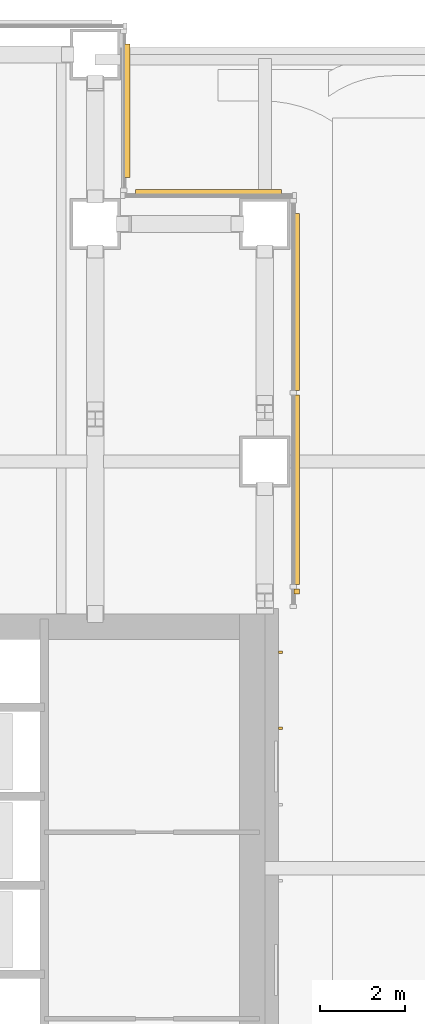
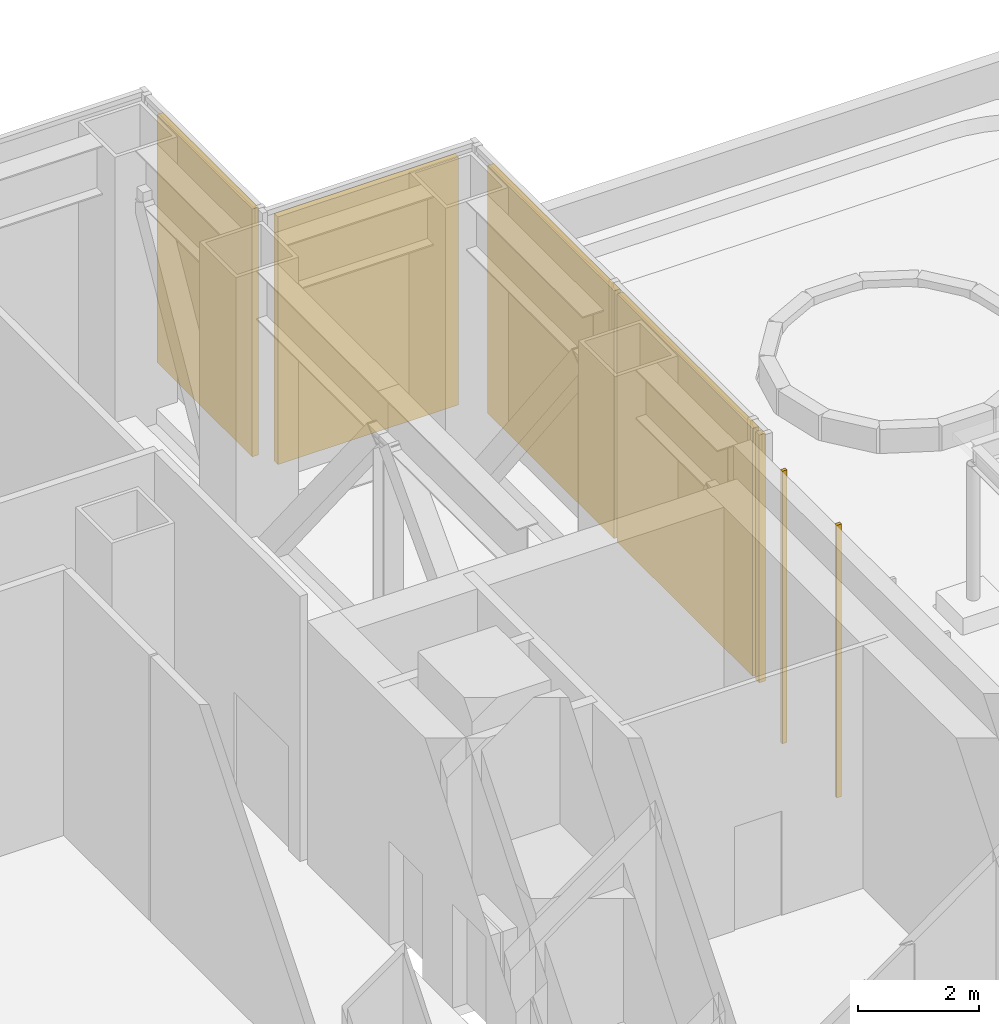
# One storey, part 36 of 39: 7 coverings.
"""IFC4 building model written with IfcOpenShell, lengths in metres."""

from ifc_helpers import new_model, si_unit, direction, frame, origin, origin_2d, place, context, subcontext, project, spatial, rectangle, extrude, material, type_object, element, save


model = new_model("IFC4")

# Units and contexts
model_context = context("Model", 3, precision=1e-05, world=origin(), true_north=direction((0.0, 1.0)))
body_context = subcontext(model_context, "Body", "Model", "MODEL_VIEW")
ifc_project = project(units=[si_unit("LENGTHUNIT", "METRE"), si_unit("AREAUNIT", "SQUARE_METRE"), si_unit("VOLUMEUNIT", "CUBIC_METRE"), si_unit("PLANEANGLEUNIT", "RADIAN"), si_unit("MASSUNIT", "GRAM", prefix="KILO")], contexts=[model_context])

# Site, building, storey
site_placement = place(None, origin())
site = spatial("IfcSite", under=ifc_project, at=site_placement, CompositionType="ELEMENT")
building_placement = place(site_placement, origin())
building = spatial("IfcBuilding", under=site, at=building_placement, Name="Cobrizo Arcos Hotel Tower", CompositionType="ELEMENT")
storey_placement = place(building_placement, frame((0.0, 0.0, 33.5)))
storey = spatial("IfcBuildingStorey", under=building, at=storey_placement, Name="L06", CompositionType="ELEMENT", Elevation=33.5)

# Coverings
ifc_material_1 = material(Name="Aluminium 6063-T6 anodised bronze", Category="aluminium")
covering_type_1 = type_object("IfcCoveringType", Name="LV-1 plant louvre band", PredefinedType="CLADDING", material=ifc_material_1)
covering_1_placement = place(storey_placement, frame((24.7548828125, 11.33447265625, 0.25), z_axis=(0.0, 0.0, 1.0), x_axis=(0.0, 1.0, 0.0)))
element("IfcCovering", 1, at=covering_1_placement, inside=storey, type_object=covering_type_1, Name="louvre band 337", PredefinedType="CLADDING", context=body_context, shape_type="SweptSolid", body=[
    extrude(rectangle(XDim=0.1201171875, YDim=0.1201171875, at=origin_2d()), origin(), (0.0, 0.0, 1.0), 5.0),
])
covering_2_placement = place(storey_placement, frame((24.7548828125, 13.7333984375, 0.25), z_axis=(0.0, 0.0, 1.0), x_axis=(0.0, 1.0, 0.0)))
element("IfcCovering", 2, at=covering_2_placement, inside=storey, type_object=covering_type_1, Name="louvre band 338", PredefinedType="CLADDING", context=body_context, shape_type="SweptSolid", body=[
    extrude(rectangle(XDim=4.477783203125, YDim=0.1201171875, at=origin_2d()), origin(), (0.0, 0.0, 1.0), 5.0),
])
covering_3_placement = place(storey_placement, frame((24.7548828125, 18.1611328125, 0.25), z_axis=(0.0, 0.0, 1.0), x_axis=(0.0, 1.0, 0.0)))
element("IfcCovering", 3, at=covering_3_placement, inside=storey, type_object=covering_type_1, Name="louvre band 339", PredefinedType="CLADDING", context=body_context, shape_type="SweptSolid", body=[
    extrude(rectangle(XDim=4.177734375, YDim=0.1201171875, at=origin_2d()), origin(), (0.0, 0.0, 1.0), 5.0),
])
covering_4_placement = place(storey_placement, frame((22.675048828125, 20.7548828125, 0.25), z_axis=(0.0, 0.0, 1.0), x_axis=(-1.0, 0.0, 0.0)))
element("IfcCovering", 4, at=covering_4_placement, inside=storey, type_object=covering_type_1, Name="louvre band 340", PredefinedType="CLADDING", context=body_context, shape_type="SweptSolid", body=[
    extrude(rectangle(XDim=3.449951171875, YDim=0.1201171875, at=origin_2d()), origin(), (0.0, 0.0, 1.0), 5.0),
])
covering_5_placement = place(storey_placement, frame((20.7548828125, 22.675048828125, 0.25), z_axis=(0.0, 0.0, 1.0), x_axis=(0.0, 1.0, 0.0)))
element("IfcCovering", 5, at=covering_5_placement, inside=storey, type_object=covering_type_1, Name="louvre band 341", PredefinedType="CLADDING", context=body_context, shape_type="SweptSolid", body=[
    extrude(rectangle(XDim=3.14990234375, YDim=0.1201171875, at=origin_2d()), origin(), (0.0, 0.0, 1.0), 5.0),
])
ifc_material_2 = material(Name="Aluminium 6063-T6 anodised pale", Category="aluminium")
covering_type_2 = type_object("IfcCoveringType", Name="RS-1 rainscreen rib 60x90", PredefinedType="CLADDING", material=ifc_material_2)
for number, where, z_axis, x_axis, name in (
    (6, (24.3701171875, 8.10009765625, 0.0), (0.0, 0.0, 1.0), (0.0, 1.0, 0.0), "Rainscreen rib 9"),
    (7, (24.3701171875, 9.89990234375, 0.0), (0.0, 0.0, 1.0), (0.0, 1.0, 0.0), "Rainscreen rib 10"),
):
    element("IfcCovering", number, at=place(storey_placement, frame(where, z_axis=z_axis, x_axis=x_axis)), inside=storey, type_object=covering_type_2, Name=name, PredefinedType="CLADDING", context=body_context, shape_type="SweptSolid", body=[
        extrude(rectangle(XDim=0.06005859375, YDim=0.090087890625, at=origin_2d()), origin(), (0.0, 0.0, 1.0), 5.5),
    ])

save(model, "model.ifc")
